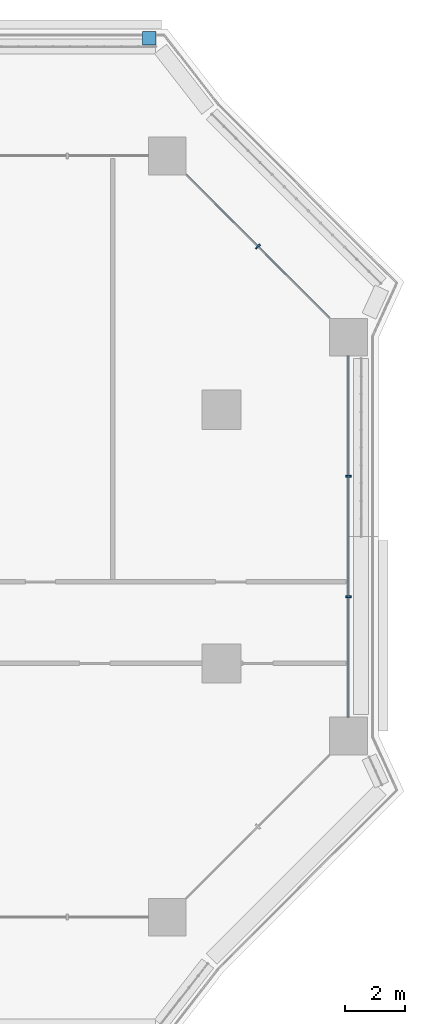
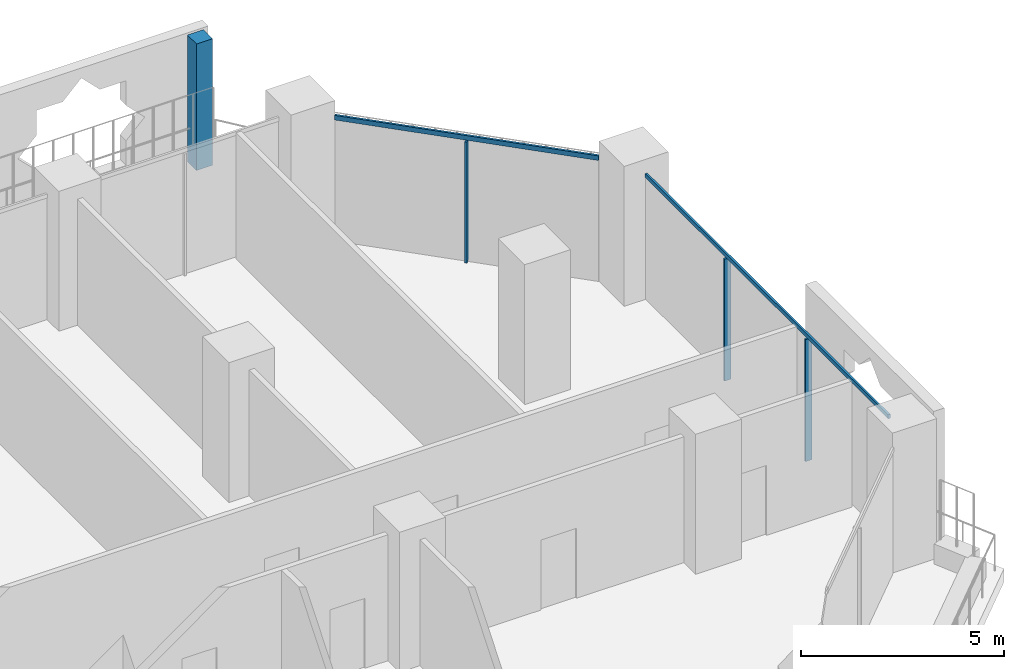
# One storey, part 10 of 28: 6 members, 3 elements without a shape of their own.
"""IFC4 building model written with IfcOpenShell, lengths in metres."""

from ifc_helpers import new_model, si_unit, direction, frame, origin, origin_2d, place, context, subcontext, project, spatial, rectangle, extrude, material, layer, layer_set, material_profile, profile_set, type_object, element, aggregate, save


model = new_model("IFC4")

# Units and contexts
model_context = context("Model", 3, precision=1e-05, world=origin(), true_north=direction((0.0, 1.0)))
body_context = subcontext(model_context, "Body", "Model", "MODEL_VIEW")
ifc_project = project(units=[si_unit("LENGTHUNIT", "METRE"), si_unit("AREAUNIT", "SQUARE_METRE"), si_unit("VOLUMEUNIT", "CUBIC_METRE"), si_unit("PLANEANGLEUNIT", "RADIAN"), si_unit("MASSUNIT", "GRAM", prefix="KILO")], contexts=[model_context])

# Site, building, storey
site_placement = place(None, origin())
site = spatial("IfcSite", under=ifc_project, at=site_placement, CompositionType="ELEMENT")
building_placement = place(site_placement, origin())
building = spatial("IfcBuilding", under=site, at=building_placement, Name="Kawkab Arch Medical Tower", CompositionType="ELEMENT")
storey_placement = place(building_placement, frame((0.0, 0.0, 47.60009765625)))
storey = spatial("IfcBuildingStorey", under=building, at=storey_placement, Name="L10", CompositionType="ELEMENT", Elevation=47.60009765625)

# Curtain wall, members
ifc_material_1 = material(Name="Bronze anodised aluminium curtain wall frame", Category="aluminium")
ifc_layer_1 = layer(ifc_material_1, 0.159912109375)
ifc_layer_set_1 = layer_set([ifc_layer_1], Name="Bronze anodised aluminium curtain wall frame")
curtain_wall_type_1 = type_object("IfcCurtainWallType", Name="CW1 ward curtain wall", PredefinedType="NOTDEFINED", material=ifc_layer_set_1)
placement = place(storey_placement, origin())
curtain_wall_1 = element("IfcCurtainWall", 1, at=placement, inside=storey, type_object=curtain_wall_type_1, Name="CW1 Ward curtain wall R07", PredefinedType="NOTDEFINED")
ifc_material_2 = material(Name="Bronze anodised aluminium curtain wall frame", Category="aluminium")
ifc_material_profile_1 = material_profile(ifc_material_2, rectangle(XDim=0.179931640625, YDim=0.06005859375, at=origin_2d()), Name="AL 60x180")
ifc_profile_set_1 = profile_set([ifc_material_profile_1], Name="Bronze anodised aluminium curtain wall frame")
member_type_1 = type_object("IfcMemberType", Name="CW1 mullion 60 x 180", PredefinedType="MULLION", material=ifc_profile_set_1)
member_1_placement = place(storey_placement, frame((79.800048828125, -14.591552734375, 0.0), z_axis=(0.0, 0.0, 1.0), x_axis=(-1.0, 0.0, 0.0)))
member_1 = element("IfcMember", 2, at=member_1_placement, type_object=member_type_1, Name="CW1 mullion 1.1", PredefinedType="MULLION", context=body_context, shape_type="SweptSolid", body=[
    extrude(rectangle(XDim=0.179931640625, YDim=0.06005859375, at=origin_2d()), origin(), (0.0, 0.0, 1.0), 3.659912109375),
])
member_2_placement = place(storey_placement, frame((79.800048828125, -10.6083984375, 0.0), z_axis=(0.0, 0.0, 1.0), x_axis=(-1.0, 0.0, 0.0)))
member_2 = element("IfcMember", 3, at=member_2_placement, type_object=member_type_1, Name="CW1 mullion 1.2", PredefinedType="MULLION", context=body_context, shape_type="SweptSolid", body=[
    extrude(rectangle(XDim=0.179931640625, YDim=0.06005859375, at=origin_2d()), origin(), (0.0, 0.0, 1.0), 3.659912109375),
])
ifc_material_3 = material(Name="Bronze anodised aluminium curtain wall frame", Category="aluminium")
ifc_material_profile_2 = material_profile(ifc_material_3, rectangle(XDim=0.06005859375, YDim=0.1201171875, at=origin_2d()), Name="AL 60x120")
ifc_profile_set_2 = profile_set([ifc_material_profile_2], Name="Bronze anodised aluminium curtain wall frame")
member_type_2 = type_object("IfcMemberType", Name="CW1 transom 120 x 60", PredefinedType="USERDEFINED", material=ifc_profile_set_2)
member_3_placement = place(storey_placement, frame((79.800048828125, -18.574951171875, 3.719970703125), z_axis=(0.0, 1.0, 0.0), x_axis=(-1.0, 0.0, 0.0)))
member_3 = element("IfcMember", 4, at=member_3_placement, type_object=member_type_2, Name="CW1 transom 1", ObjectType="TRANSOM", PredefinedType="USERDEFINED", context=body_context, shape_type="SweptSolid", body=[
    extrude(rectangle(XDim=0.06005859375, YDim=0.1201171875, at=origin_2d()), origin(), (0.0, 0.0, 1.0), 11.949951171875),
])
aggregate(curtain_wall_1, [member_3, member_1, member_2])

ifc_material_4 = material(Name="Bronze anodised aluminium curtain wall frame", Category="aluminium")
ifc_layer_2 = layer(ifc_material_4, 0.159912109375)
ifc_layer_set_2 = layer_set([ifc_layer_2], Name="Bronze anodised aluminium curtain wall frame")
curtain_wall_type_2 = type_object("IfcCurtainWallType", Name="CW2 chamfer curtain wall", PredefinedType="NOTDEFINED", material=ifc_layer_set_2)
curtain_wall_2 = element("IfcCurtainWall", 5, at=placement, inside=storey, type_object=curtain_wall_type_2, Name="CW2 Chamfer curtain wall R08", PredefinedType="NOTDEFINED")
ifc_material_5 = material(Name="Bronze anodised aluminium curtain wall frame", Category="aluminium")
ifc_material_profile_3 = material_profile(ifc_material_5, rectangle(XDim=0.199951171875, YDim=0.06005859375, at=origin_2d()), Name="AL 60x200")
ifc_profile_set_3 = profile_set([ifc_material_profile_3], Name="Bronze anodised aluminium curtain wall frame")
member_type_3 = type_object("IfcMemberType", Name="CW2 mullion 60 x 200", PredefinedType="MULLION", material=ifc_profile_set_3)
member_4_placement = place(storey_placement, frame((76.800048828125, -3.0, 0.0), z_axis=(0.0, 0.0, 1.0), x_axis=(-0.707106781187, -0.707106781187, 0.0)))
member_4 = element("IfcMember", 6, at=member_4_placement, type_object=member_type_3, Name="CW2 mullion 1.1", PredefinedType="MULLION", context=body_context, shape_type="SweptSolid", body=[
    extrude(rectangle(XDim=0.199951171875, YDim=0.06005859375, at=origin_2d()), origin(), (0.0, 0.0, 1.0), 3.639892578125),
])
ifc_material_6 = material(Name="Bronze anodised aluminium curtain wall frame", Category="aluminium")
ifc_material_profile_4 = material_profile(ifc_material_6, rectangle(XDim=0.06005859375, YDim=0.139892578125, at=origin_2d()), Name="AL 60x140")
ifc_profile_set_4 = profile_set([ifc_material_profile_4], Name="Bronze anodised aluminium curtain wall frame")
member_type_4 = type_object("IfcMemberType", Name="CW2 transom 140 x 60", PredefinedType="USERDEFINED", material=ifc_profile_set_4)
member_5_placement = place(storey_placement, frame((79.175048828125, -5.375, 3.7099609375), z_axis=(-0.707106781187, 0.707106781187, 0.0), x_axis=(-0.707106781187, -0.707106781187, 0.0)))
member_5 = element("IfcMember", 7, at=member_5_placement, type_object=member_type_4, Name="CW2 transom 1", ObjectType="TRANSOM", PredefinedType="USERDEFINED", context=body_context, shape_type="SweptSolid", body=[
    extrude(rectangle(XDim=0.06005859375, YDim=0.139892578125, at=origin_2d()), origin(), (0.0, 0.0, 1.0), 6.717529296875),
])
aggregate(curtain_wall_2, [member_5, member_4])

# Curtain wall, member
ifc_material_7 = material(Name="Bronze anodised aluminium climber frame, planted", Category="aluminium")
ifc_layer_3 = layer(ifc_material_7, 0.449951171875)
ifc_layer_set_3 = layer_set([ifc_layer_3], Name="Bronze anodised aluminium climber frame, planted")
curtain_wall_type_3 = type_object("IfcCurtainWallType", Name="Planted climber frame", PredefinedType="NOTDEFINED", material=ifc_layer_set_3)
curtain_wall_3 = element("IfcCurtainWall", 8, at=placement, inside=storey, type_object=curtain_wall_type_3, Name="Planted climber frame L10", PredefinedType="NOTDEFINED")
ifc_material_8 = material(Name="Bronze anodised aluminium climber frame, planted", Category="aluminium")
ifc_material_profile_5 = material_profile(ifc_material_8, rectangle(XDim=0.449951171875, YDim=0.449951171875, at=origin_2d()), Name="Post 450x450")
ifc_profile_set_5 = profile_set([ifc_material_profile_5], Name="Bronze anodised aluminium climber frame, planted")
member_type_5 = type_object("IfcMemberType", Name="Planted climber post 450 x 450", PredefinedType="MULLION", material=ifc_profile_set_5)
member_6_placement = place(storey_placement, frame((73.202880859375, 3.89990234375, 0.0), z_axis=(0.0, 0.0, 1.0), x_axis=(1.0, 0.0, 0.0)))
member_6 = element("IfcMember", 9, at=member_6_placement, type_object=member_type_5, Name="Planted climber post L10.LOG-01-02.2", PredefinedType="MULLION", context=body_context, shape_type="SweptSolid", body=[
    extrude(rectangle(XDim=0.449951171875, YDim=0.449951171875, at=origin_2d()), origin(), (0.0, 0.0, 1.0), 3.7998046875),
])
aggregate(curtain_wall_3, [member_6])

save(model, "model.ifc")
